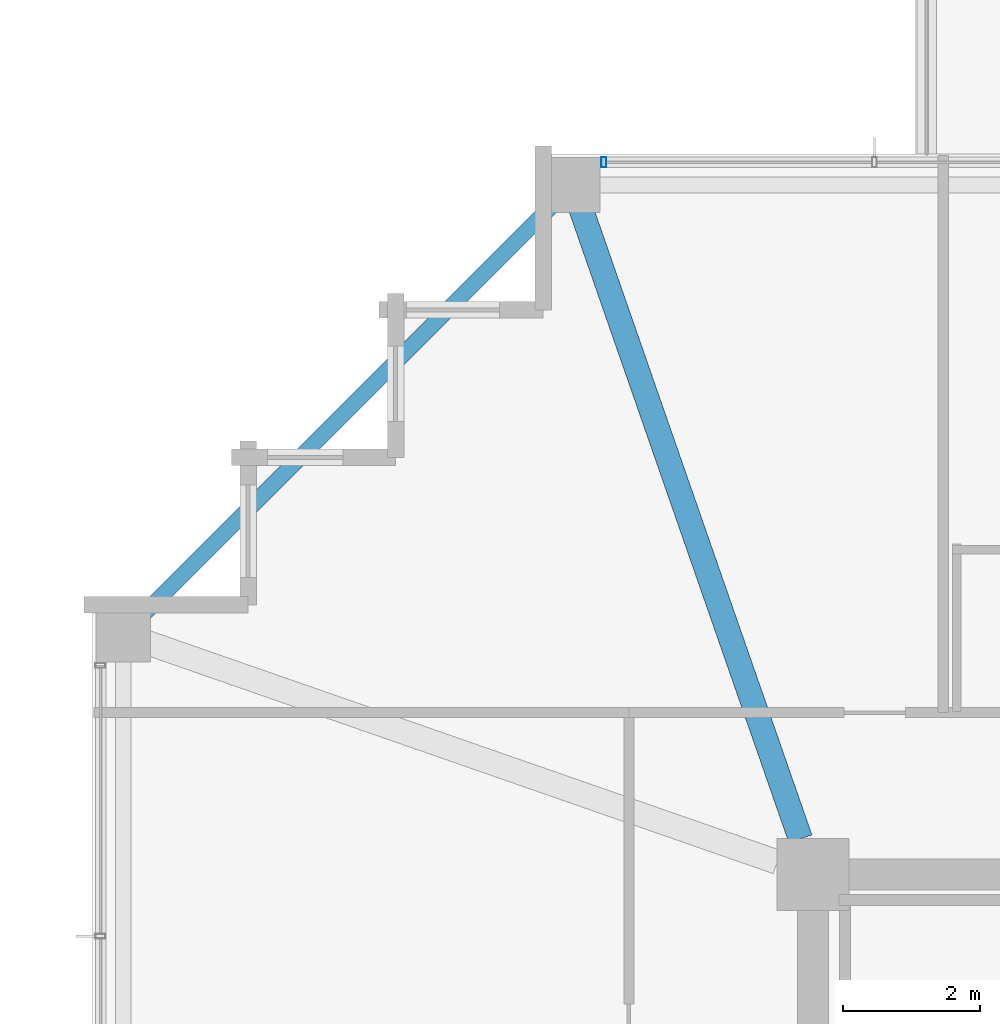
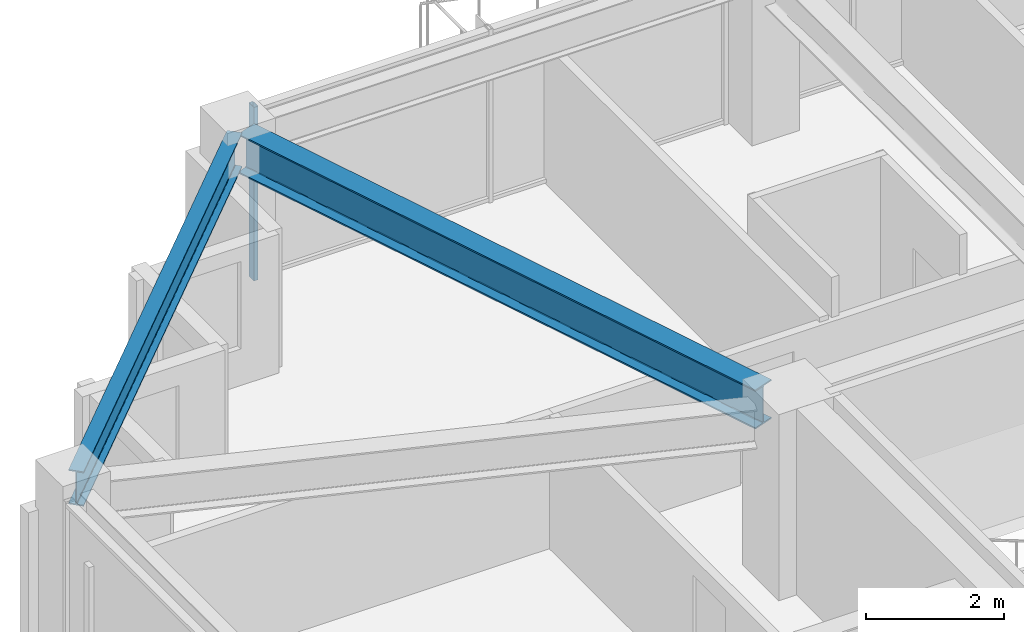
# One storey, part 17 of 38: 2 beams, 1 member, 1 element without a shape of its own.
"""IFC4 building model written with IfcOpenShell, lengths in metres."""

from ifc_helpers import new_model, si_unit, direction, frame, origin, origin_2d, place, context, subcontext, project, spatial, hollow_rectangle, i_section, extrude, material, material_profile, profile_set, type_object, element, aggregate, save


model = new_model("IFC4")

# Units and contexts
model_context = context("Model", 3, precision=1e-05, world=origin(), true_north=direction((0.0, 1.0)))
body_context = subcontext(model_context, "Body", "Model", "MODEL_VIEW")
ifc_project = project(units=[si_unit("LENGTHUNIT", "METRE"), si_unit("AREAUNIT", "SQUARE_METRE"), si_unit("VOLUMEUNIT", "CUBIC_METRE"), si_unit("PLANEANGLEUNIT", "RADIAN"), si_unit("MASSUNIT", "GRAM", prefix="KILO")], contexts=[model_context])

# Site, building, storey
site_placement = place(None, origin())
site = spatial("IfcSite", under=ifc_project, at=site_placement, CompositionType="ELEMENT")
building_placement = place(site_placement, origin())
building = spatial("IfcBuilding", under=site, at=building_placement, Name="Kolvaren Belvedere", CompositionType="ELEMENT")
storey_placement = place(building_placement, frame((0.0, 0.0, 213.0)))
storey = spatial("IfcBuildingStorey", under=building, at=storey_placement, Name="L62", CompositionType="ELEMENT", Elevation=213.0)

# Beams
ifc_material_1 = material(Name="Structural steel ASTM A992 Grade 50", Category="steel")
ifc_material_profile_1 = material_profile(ifc_material_1, i_section(OverallWidth=0.35498046875, OverallDepth=0.696044921875, WebThickness=0.015380859375, FlangeThickness=0.02490234375, FilletRadius=0.02197265625, at=origin_2d()), Name="W27X146")
ifc_profile_set_1 = profile_set([ifc_material_profile_1], Name="Structural steel ASTM A992 Grade 50")
beam_type_1 = type_object("IfcBeamType", Name="BM-GIRD-W27X146", PredefinedType="BEAM", material=ifc_profile_set_1)
beam_1_placement = place(storey_placement, frame((-10.080810546875, 10.41943359375, 2.73193359375), z_axis=(-0.328898147971, 0.944365399758, 0.0), x_axis=(-0.944365399758, -0.328898147971, 0.0)))
element("IfcBeam", 1, at=beam_1_placement, inside=storey, type_object=beam_type_1, Name="L62 Corner Core-to-Perimeter Girder CC4-N1", PredefinedType="BEAM", context=body_context, shape_type="SweptSolid", body=[
    extrude(i_section(OverallWidth=0.35498046875, OverallDepth=0.696044921875, WebThickness=0.015380859375, FlangeThickness=0.02490234375, FilletRadius=0.02197265625, at=origin_2d()), origin(), (0.0, 0.0, 1.0), 9.931884765625),
])
ifc_material_2 = material(Name="Structural steel ASTM A992 Grade 50", Category="steel")
ifc_material_profile_2 = material_profile(ifc_material_2, i_section(OverallWidth=0.22900390625, OverallDepth=0.612060546875, WebThickness=0.011962890625, FlangeThickness=0.01953125, FilletRadius=0.01806640625, at=origin_2d()), Name="W24X84")
ifc_profile_set_2 = profile_set([ifc_material_profile_2], Name="Structural steel ASTM A992 Grade 50")
beam_type_2 = type_object("IfcBeamType", Name="BM-SPAN-W24X84", PredefinedType="SPANDREL", material=ifc_profile_set_2)
beam_2_placement = place(storey_placement, frame((-13.52734375, 19.82275390625, 2.77392578125), z_axis=(-0.707106781187, -0.707106781187, 0.0), x_axis=(0.707106781187, -0.707106781187, 0.0)))
element("IfcBeam", 2, at=beam_2_placement, inside=storey, type_object=beam_type_2, Name="L62 Perimeter Spandrel N1-W4", PredefinedType="SPANDREL", context=body_context, shape_type="SweptSolid", body=[
    extrude(i_section(OverallWidth=0.22900390625, OverallDepth=0.612060546875, WebThickness=0.011962890625, FlangeThickness=0.01953125, FilletRadius=0.01806640625, at=origin_2d()), origin(), (0.0, 0.0, 1.0), 8.903076171875),
])

# Curtain wall, member
ifc_material_3 = material(Name="Anodised pale-metal aluminium AA 6063-T6", Category="aluminium")
curtain_wall_type = type_object("IfcCurtainWallType", Name="CW-Z5-HIGH", PredefinedType="NOTDEFINED", material=ifc_material_3)
curtain_wall_placement = place(storey_placement, origin())
curtain_wall = element("IfcCurtainWall", 3, at=curtain_wall_placement, inside=storey, type_object=curtain_wall_type, Name="L62 Unitised Curtain Wall FCW-L62-N1-B1", PredefinedType="NOTDEFINED")
ifc_material_4 = material(Name="Anodised pale-metal aluminium AA 6063-T6", Category="aluminium")
ifc_material_profile_3 = material_profile(ifc_material_4, hollow_rectangle(XDim=0.070068359375, YDim=0.14990234375, WallThickness=0.004150390625, at=origin_2d()), Name="ALU-MUL-150X70")
ifc_profile_set_3 = profile_set([ifc_material_profile_3], Name="Anodised pale-metal aluminium AA 6063-T6")
member_type = type_object("IfcMemberType", Name="CW-MUL-150", PredefinedType="MULLION", material=ifc_profile_set_3)
member_placement = place(storey_placement, frame((-12.945068359375, 20.280029296875, 0.0), z_axis=(0.0, 0.0, 1.0), x_axis=(1.0, 0.0, 0.0)))
member = element("IfcMember", 4, at=member_placement, type_object=member_type, Name="FCW-L62-N1-B1 Unitised Mullion 1", PredefinedType="MULLION", context=body_context, shape_type="SweptSolid", body=[
    extrude(hollow_rectangle(XDim=0.070068359375, YDim=0.14990234375, WallThickness=0.004150390625, at=origin_2d()), origin(), (0.0, 0.0, 1.0), 3.080078125),
])
aggregate(curtain_wall, [member])

save(model, "model.ifc")
